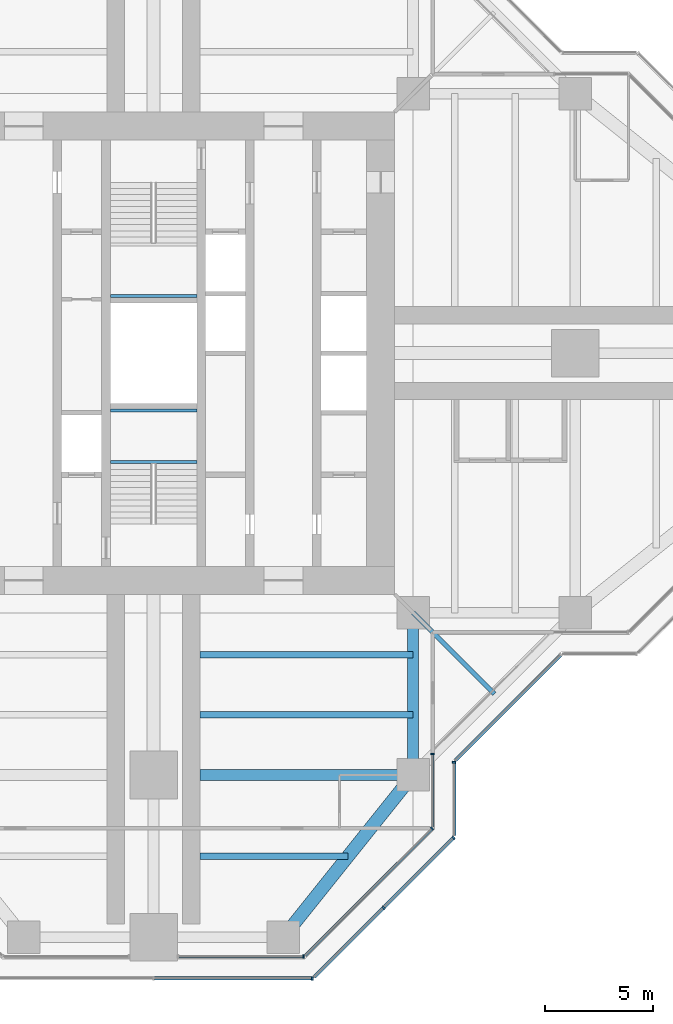
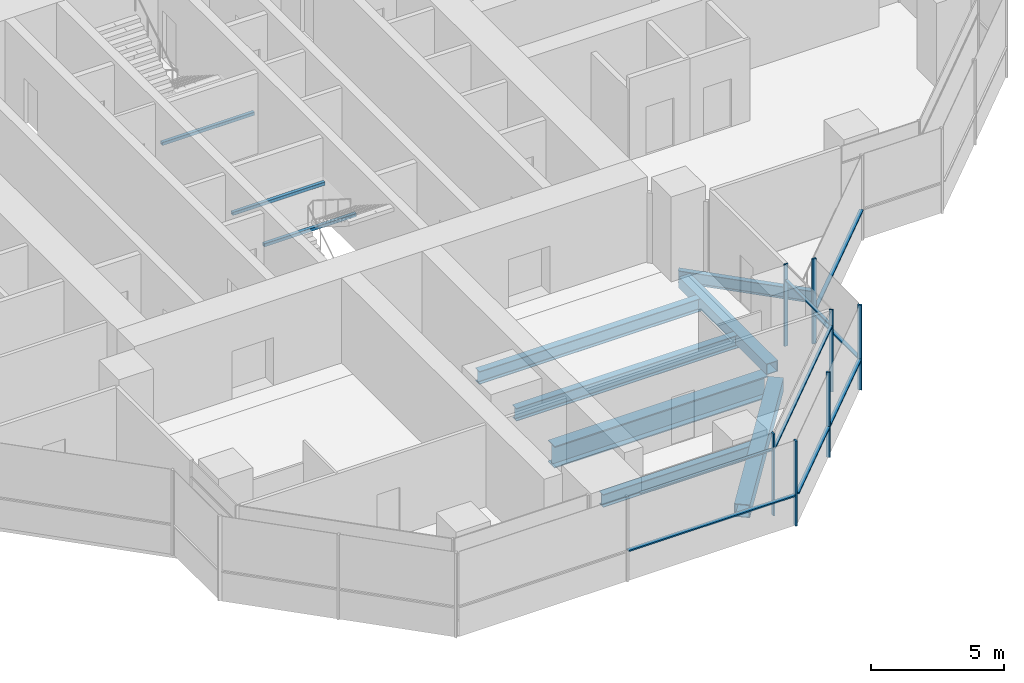
# One storey, part 4 of 17: 15 members, 10 beams, 7 elements without a shape of their own.
"""IFC4 building model written with IfcOpenShell, lengths in metres."""

from ifc_helpers import new_model, si_unit, direction, frame, origin, origin_2d, place, context, subcontext, project, spatial, rectangle, hollow_rectangle, i_section, extrude, material, material_profile, profile_set, type_object, element, aggregate, save


model = new_model("IFC4")

# Units and contexts
model_context = context("Model", 3, precision=1e-05, world=origin(), true_north=direction((0.0, 1.0)))
body_context = subcontext(model_context, "Body", "Model", "MODEL_VIEW")
ifc_project = project(units=[si_unit("LENGTHUNIT", "METRE"), si_unit("AREAUNIT", "SQUARE_METRE"), si_unit("VOLUMEUNIT", "CUBIC_METRE"), si_unit("PLANEANGLEUNIT", "RADIAN"), si_unit("MASSUNIT", "GRAM", prefix="KILO")], contexts=[model_context])

# Site, building, storey
site_placement = place(None, origin())
site = spatial("IfcSite", under=ifc_project, at=site_placement, CompositionType="ELEMENT")
building_placement = place(site_placement, origin())
building = spatial("IfcBuilding", under=site, at=building_placement, Name="Mizan Broadcast Tower", CompositionType="ELEMENT")
storey_placement = place(building_placement, frame((0.0, 0.0, 240.0)))
storey = spatial("IfcBuildingStorey", under=building, at=storey_placement, Name="L56", CompositionType="ELEMENT", Elevation=240.0)

# Beams
ifc_material_1 = material(Name="Steel S355", Category="steel")
ifc_material_profile_1 = material_profile(ifc_material_1, hollow_rectangle(XDim=0.5, YDim=0.5, WallThickness=0.030029296875, at=origin_2d()), Name="BOX 500x500x30")
ifc_profile_set_1 = profile_set([ifc_material_profile_1], Name="Steel S355")
beam_type_1 = type_object("IfcBeamType", Name="EDGE BEAM BOX 500x500x30", PredefinedType="SPANDREL", material=ifc_profile_set_1)
beam_1_placement = place(storey_placement, frame((12.0, -12.449951171875, -0.3798828125), z_axis=(0.0, -1.0, 0.0), x_axis=(1.0, 0.0, 0.0)))
element("IfcBeam", 1, at=beam_1_placement, inside=storey, type_object=beam_type_1, Name="Edge beam BOX 500x500x30 L56 south arm", PredefinedType="SPANDREL", context=body_context, shape_type="SweptSolid", body=[
    extrude(hollow_rectangle(XDim=0.5, YDim=0.5, WallThickness=0.030029296875, at=origin_2d()), origin(), (0.0, 0.0, 1.0), 6.60009765625),
])
ifc_material_2 = material(Name="Steel S355", Category="steel")
ifc_material_profile_2 = material_profile(ifc_material_2, hollow_rectangle(XDim=0.60009765625, YDim=0.60009765625, WallThickness=0.030029296875, at=origin_2d()), Name="BOX 600x600x30")
ifc_profile_set_2 = profile_set([ifc_material_profile_2], Name="Steel S355")
beam_type_2 = type_object("IfcBeamType", Name="EDGE BEAM BOX 600x600x30", PredefinedType="SPANDREL", material=ifc_profile_set_2)
beam_2_placement = place(storey_placement, frame((11.639892578125, -19.949951171875, -0.429931640625), z_axis=(-0.624673911726, -0.780885717636, 0.0), x_axis=(0.780885717636, -0.624673911726, 0.0)))
element("IfcBeam", 2, at=beam_2_placement, inside=storey, type_object=beam_type_2, Name="Edge beam BOX 600x600x30 L56 south arm", PredefinedType="SPANDREL", context=body_context, shape_type="SweptSolid", body=[
    extrude(hollow_rectangle(XDim=0.60009765625, YDim=0.60009765625, WallThickness=0.030029296875, at=origin_2d()), origin(), (0.0, 0.0, 1.0), 8.4521484375),
])
ifc_material_3 = material(Name="Steel S460", Category="steel")
ifc_material_profile_3 = material_profile(ifc_material_3, i_section(OverallWidth=0.5, OverallDepth=1.0, WebThickness=0.02490234375, FlangeThickness=0.050048828125, at=origin_2d()), Name="WPG 1000x500")
ifc_profile_set_3 = profile_set([ifc_material_profile_3], Name="Steel S460")
beam_type_3 = type_object("IfcBeamType", Name="GIRDER WPG 1000x500", PredefinedType="BEAM", material=ifc_profile_set_3)
beam_3_placement = place(storey_placement, frame((11.408935546875, -19.5, -0.6298828125), z_axis=(-1.0, 0.0, 0.0), x_axis=(0.0, -1.0, 0.0)))
element("IfcBeam", 3, at=beam_3_placement, inside=storey, type_object=beam_type_3, Name="Girder WPG 1000x500 L56 south arm", PredefinedType="BEAM", context=body_context, shape_type="SweptSolid", body=[
    extrude(i_section(OverallWidth=0.5, OverallDepth=1.0, WebThickness=0.02490234375, FlangeThickness=0.050048828125, at=origin_2d()), origin(), (0.0, 0.0, 1.0), 9.259033203125),
])

# Curtain wall, member
ifc_material_4 = material(Name="Aluminium framed glazing", Category="aluminium")
curtain_wall_type_1 = type_object("IfcCurtainWallType", Name="INNER SKIN HIGH ZONE", PredefinedType="USERDEFINED", material=ifc_material_4)
curtain_wall_1_placement = place(storey_placement, origin())
curtain_wall_1 = element("IfcCurtainWall", 4, at=curtain_wall_1_placement, inside=storey, type_object=curtain_wall_type_1, Name="Inner skin high zone L56 S end", ObjectType="INNER SKIN HIGH ZONE", PredefinedType="USERDEFINED")
ifc_material_5 = material(Name="Aluminium, pale anodised", Category="aluminium")
ifc_material_profile_4 = material_profile(ifc_material_5, rectangle(XDim=0.159912109375, YDim=0.06005859375, at=origin_2d()), Name="MULLION 160x60")
ifc_profile_set_4 = profile_set([ifc_material_profile_4], Name="Aluminium, pale anodised")
member_type_1 = type_object("IfcMemberType", Name="INNER SKIN MULLION 60x160", PredefinedType="MULLION", material=ifc_profile_set_4)
member_1_placement = place(storey_placement, frame((6.928466796875, -27.89990234375, 0.0), z_axis=(0.0, 0.0, 1.0), x_axis=(0.0, 1.0, 0.0)))
member_1 = element("IfcMember", 5, at=member_1_placement, type_object=member_type_1, Name="Inner skin high zone L56 S end mullion 2", PredefinedType="MULLION", context=body_context, shape_type="SweptSolid", body=[
    extrude(rectangle(XDim=0.159912109375, YDim=0.06005859375, at=origin_2d()), origin(), (0.0, 0.0, 1.0), 3.77001953125),
])

curtain_wall_2_placement = place(storey_placement, origin())
curtain_wall_2 = element("IfcCurtainWall", 6, at=curtain_wall_2_placement, inside=storey, type_object=curtain_wall_type_1, Name="Inner skin high zone L56 S chamfer", ObjectType="INNER SKIN HIGH ZONE", PredefinedType="USERDEFINED")
member_2_placement = place(storey_placement, frame((12.87890625, -21.979736328125, 0.0), z_axis=(0.0, 0.0, 1.0), x_axis=(-0.707106781187, 0.707106781187, 0.0)))
member_2 = element("IfcMember", 7, at=member_2_placement, type_object=member_type_1, Name="Inner skin high zone L56 S chamfer mullion 2", PredefinedType="MULLION", context=body_context, shape_type="SweptSolid", body=[
    extrude(rectangle(XDim=0.159912109375, YDim=0.06005859375, at=origin_2d()), origin(), (0.0, 0.0, 1.0), 3.77001953125),
])

curtain_wall_3_placement = place(storey_placement, origin())
curtain_wall_3 = element("IfcCurtainWall", 8, at=curtain_wall_3_placement, inside=storey, type_object=curtain_wall_type_1, Name="Inner skin high zone L56 S side", ObjectType="INNER SKIN HIGH ZONE", PredefinedType="USERDEFINED")
member_3_placement = place(storey_placement, frame((12.89990234375, -18.530029296875, 0.0), z_axis=(0.0, 0.0, 1.0), x_axis=(-1.0, 0.0, 0.0)))
member_3 = element("IfcMember", 9, at=member_3_placement, type_object=member_type_1, Name="Inner skin high zone L56 S side mullion 2", PredefinedType="MULLION", context=body_context, shape_type="SweptSolid", body=[
    extrude(rectangle(XDim=0.159912109375, YDim=0.06005859375, at=origin_2d()), origin(), (0.0, 0.0, 1.0), 3.77001953125),
])

# Member
ifc_material_6 = material(Name="Aluminium, pale anodised", Category="aluminium")
ifc_material_profile_5 = material_profile(ifc_material_6, rectangle(XDim=0.1201171875, YDim=0.06005859375, at=origin_2d()), Name="TRANSOM 120x60")
ifc_profile_set_5 = profile_set([ifc_material_profile_5], Name="Aluminium, pale anodised")
member_type_2 = type_object("IfcMemberType", Name="INNER SKIN TRANSOM 60x120", PredefinedType="USERDEFINED", material=ifc_profile_set_5)
member_4_placement = place(storey_placement, frame((1.159912109375, -27.89990234375, 3.030029296875), z_axis=(1.0, 0.0, 0.0), x_axis=(0.0, 1.0, 0.0)))
member_4 = element("IfcMember", 10, at=member_4_placement, type_object=member_type_2, Name="Inner skin high zone L56 S end transom 1.1", ObjectType="TRANSOM", PredefinedType="USERDEFINED", context=body_context, shape_type="SweptSolid", body=[
    extrude(rectangle(XDim=0.1201171875, YDim=0.06005859375, at=origin_2d()), origin(), (0.0, 0.0, 1.0), 5.73876953125),
])

aggregate(curtain_wall_1, [member_1, member_4])

member_5_placement = place(storey_placement, frame((7.0009765625, -27.857666015625, 3.030029296875), z_axis=(0.707106781187, 0.707106781187, 0.0), x_axis=(-0.707106781187, 0.707106781187, 0.0)))
member_5 = element("IfcMember", 11, at=member_5_placement, type_object=member_type_2, Name="Inner skin high zone L56 S chamfer transom 1.1", ObjectType="TRANSOM", PredefinedType="USERDEFINED", context=body_context, shape_type="SweptSolid", body=[
    extrude(rectangle(XDim=0.1201171875, YDim=0.06005859375, at=origin_2d()), origin(), (0.0, 0.0, 1.0), 8.28271484375),
])

aggregate(curtain_wall_2, [member_2, member_5])

member_6_placement = place(storey_placement, frame((12.89990234375, -21.898681640625, 3.030029296875), z_axis=(0.0, 1.0, 0.0), x_axis=(-1.0, 0.0, 0.0)))
member_6 = element("IfcMember", 12, at=member_6_placement, type_object=member_type_2, Name="Inner skin high zone L56 S side transom 1.1", ObjectType="TRANSOM", PredefinedType="USERDEFINED", context=body_context, shape_type="SweptSolid", body=[
    extrude(rectangle(XDim=0.1201171875, YDim=0.06005859375, at=origin_2d()), origin(), (0.0, 0.0, 1.0), 3.338623046875),
])

aggregate(curtain_wall_3, [member_3, member_6])

# Beams
ifc_material_7 = material(Name="Steel S355", Category="steel")
ifc_material_profile_6 = material_profile(ifc_material_7, hollow_rectangle(XDim=0.14990234375, YDim=0.14990234375, WallThickness=0.008056640625, InnerFilletRadius=0.008056640625, OuterFilletRadius=0.011962890625, at=origin_2d()), Name="SHS 150x150x8")
ifc_profile_set_6 = profile_set([ifc_material_profile_6], Name="Steel S355")
beam_type_4 = type_object("IfcBeamType", Name="LANDING TRIMMER SHS 150x150x8", PredefinedType="BEAM", material=ifc_profile_set_6)
for number, where, z_axis, x_axis, name in (
    (13, (-2.0, -5.02490234375, 1.675048828125), (1.0, 0.0, 0.0), (0.0, 1.0, 0.0), "Stair A landing trimmer L56"),
    (14, (-2.0, -2.64990234375, 1.675048828125), (1.0, 0.0, 0.0), (0.0, 1.0, 0.0), "Stair A landing trimmer L56"),
    (15, (2.0, 2.64990234375, 1.675048828125), (-1.0, 0.0, 0.0), (0.0, -1.0, 0.0), "Stair B landing trimmer L56"),
):
    element("IfcBeam", number, at=place(storey_placement, frame(where, z_axis=z_axis, x_axis=x_axis)), inside=storey, type_object=beam_type_4, Name=name, PredefinedType="BEAM", context=body_context, shape_type="SweptSolid", body=[
        extrude(hollow_rectangle(XDim=0.14990234375, YDim=0.14990234375, WallThickness=0.008056640625, InnerFilletRadius=0.008056640625, OuterFilletRadius=0.011962890625, at=origin_2d()), origin(), (0.0, 0.0, 1.0), 4.0),
    ])

# Curtain wall, member
ifc_material_8 = material(Name="Aluminium framed glazing", Category="aluminium")
curtain_wall_type_2 = type_object("IfcCurtainWallType", Name="OUTER SKIN", PredefinedType="USERDEFINED", material=ifc_material_8)
curtain_wall_4_placement = place(storey_placement, origin())
curtain_wall_4 = element("IfcCurtainWall", 16, at=curtain_wall_4_placement, inside=storey, type_object=curtain_wall_type_2, Name="Outer skin L56 S end", ObjectType="OUTER SKIN", PredefinedType="USERDEFINED")
ifc_material_9 = material(Name="Aluminium, pale anodised", Category="aluminium")
ifc_material_profile_7 = material_profile(ifc_material_9, rectangle(XDim=0.159912109375, YDim=0.080078125, at=origin_2d()), Name="MULLION 160x80")
ifc_profile_set_7 = profile_set([ifc_material_profile_7], Name="Aluminium, pale anodised")
member_type_3 = type_object("IfcMemberType", Name="OUTER SKIN MULLION 80x160", PredefinedType="MULLION", material=ifc_profile_set_7)
member_7_placement = place(storey_placement, frame((7.332763671875, -28.89990234375, 0.0), z_axis=(0.0, 0.0, 1.0), x_axis=(0.0, 1.0, 0.0)))
member_7 = element("IfcMember", 17, at=member_7_placement, type_object=member_type_3, Name="Outer skin L56 S end mullion 3", PredefinedType="MULLION", context=body_context, shape_type="SweptSolid", body=[
    extrude(rectangle(XDim=0.159912109375, YDim=0.080078125, at=origin_2d()), origin(), (0.0, 0.0, 1.0), 3.89990234375),
])

# Curtain wall, members
curtain_wall_5_placement = place(storey_placement, origin())
curtain_wall_5 = element("IfcCurtainWall", 18, at=curtain_wall_5_placement, inside=storey, type_object=curtain_wall_type_2, Name="Outer skin L56 S chamfer", ObjectType="OUTER SKIN", PredefinedType="USERDEFINED")
member_8_placement = place(storey_placement, frame((10.636474609375, -25.636474609375, 0.0), z_axis=(0.0, 0.0, 1.0), x_axis=(-0.707106781187, 0.707106781187, 0.0)))
member_8 = element("IfcMember", 19, at=member_8_placement, type_object=member_type_3, Name="Outer skin L56 S chamfer mullion 2", PredefinedType="MULLION", context=body_context, shape_type="SweptSolid", body=[
    extrude(rectangle(XDim=0.159912109375, YDim=0.080078125, at=origin_2d()), origin(), (0.0, 0.0, 1.0), 3.89990234375),
])
member_9_placement = place(storey_placement, frame((13.871826171875, -22.401123046875, 0.0), z_axis=(0.0, 0.0, 1.0), x_axis=(-0.707106781187, 0.707106781187, 0.0)))
member_9 = element("IfcMember", 20, at=member_9_placement, type_object=member_type_3, Name="Outer skin L56 S chamfer mullion 3", PredefinedType="MULLION", context=body_context, shape_type="SweptSolid", body=[
    extrude(rectangle(XDim=0.159912109375, YDim=0.080078125, at=origin_2d()), origin(), (0.0, 0.0, 1.0), 3.89990234375),
])

# Curtain wall, member
curtain_wall_6_placement = place(storey_placement, origin())
curtain_wall_6 = element("IfcCurtainWall", 21, at=curtain_wall_6_placement, inside=storey, type_object=curtain_wall_type_2, Name="Outer skin L56 S side", ObjectType="OUTER SKIN", PredefinedType="USERDEFINED")
member_10_placement = place(storey_placement, frame((13.89990234375, -18.912841796875, 0.0), z_axis=(0.0, 0.0, 1.0), x_axis=(-1.0, 0.0, 0.0)))
member_10 = element("IfcMember", 22, at=member_10_placement, type_object=member_type_3, Name="Outer skin L56 S side mullion 2", PredefinedType="MULLION", context=body_context, shape_type="SweptSolid", body=[
    extrude(rectangle(XDim=0.159912109375, YDim=0.080078125, at=origin_2d()), origin(), (0.0, 0.0, 1.0), 3.89990234375),
])

# Member
ifc_material_10 = material(Name="Aluminium, pale anodised", Category="aluminium")
ifc_material_profile_8 = material_profile(ifc_material_10, rectangle(XDim=0.159912109375, YDim=0.06005859375, at=origin_2d()), Name="TRANSOM 160x60")
ifc_profile_set_8 = profile_set([ifc_material_profile_8], Name="Aluminium, pale anodised")
member_type_4 = type_object("IfcMemberType", Name="OUTER SKIN TRANSOM 60x160", PredefinedType="USERDEFINED", material=ifc_profile_set_8)
member_11_placement = place(storey_placement, frame((0.0400390625, -28.89990234375, 1.39990234375), z_axis=(1.0, 0.0, 0.0), x_axis=(0.0, 1.0, 0.0)))
member_11 = element("IfcMember", 23, at=member_11_placement, type_object=member_type_4, Name="Outer skin L56 S end transom 2.1", ObjectType="TRANSOM", PredefinedType="USERDEFINED", context=body_context, shape_type="SweptSolid", body=[
    extrude(rectangle(XDim=0.159912109375, YDim=0.06005859375, at=origin_2d()), origin(), (0.0, 0.0, 1.0), 7.252685546875),
])

aggregate(curtain_wall_4, [member_7, member_11])

member_12_placement = place(storey_placement, frame((7.429443359375, -28.843505859375, 1.39990234375), z_axis=(0.707106781187, 0.707106781187, 0.0), x_axis=(-0.707106781187, 0.707106781187, 0.0)))
member_12 = element("IfcMember", 24, at=member_12_placement, type_object=member_type_4, Name="Outer skin L56 S chamfer transom 1.1", ObjectType="TRANSOM", PredefinedType="USERDEFINED", context=body_context, shape_type="SweptSolid", body=[
    extrude(rectangle(XDim=0.159912109375, YDim=0.06005859375, at=origin_2d()), origin(), (0.0, 0.0, 1.0), 4.495361328125),
])

member_13_placement = place(storey_placement, frame((10.664794921875, -25.608154296875, 1.39990234375), z_axis=(0.707106781187, 0.707106781187, 0.0), x_axis=(-0.707106781187, 0.707106781187, 0.0)))
member_13 = element("IfcMember", 25, at=member_13_placement, type_object=member_type_4, Name="Outer skin L56 S chamfer transom 2.1", ObjectType="TRANSOM", PredefinedType="USERDEFINED", context=body_context, shape_type="SweptSolid", body=[
    extrude(rectangle(XDim=0.159912109375, YDim=0.06005859375, at=origin_2d()), origin(), (0.0, 0.0, 1.0), 4.495361328125),
])

aggregate(curtain_wall_5, [member_8, member_9, member_12, member_13])

member_14_placement = place(storey_placement, frame((13.89990234375, -22.292724609375, 1.39990234375), z_axis=(0.0, 1.0, 0.0), x_axis=(-1.0, 0.0, 0.0)))
member_14 = element("IfcMember", 26, at=member_14_placement, type_object=member_type_4, Name="Outer skin L56 S side transom 1.1", ObjectType="TRANSOM", PredefinedType="USERDEFINED", context=body_context, shape_type="SweptSolid", body=[
    extrude(rectangle(XDim=0.159912109375, YDim=0.06005859375, at=origin_2d()), origin(), (0.0, 0.0, 1.0), 3.33984375),
])

aggregate(curtain_wall_6, [member_10, member_14])

# Curtain wall, member
curtain_wall_7_placement = place(storey_placement, origin())
curtain_wall_7 = element("IfcCurtainWall", 27, at=curtain_wall_7_placement, inside=storey, type_object=curtain_wall_type_2, Name="Outer skin L56 E chamfer", ObjectType="OUTER SKIN", PredefinedType="USERDEFINED")
member_15_placement = place(storey_placement, frame((13.95654296875, -18.816162109375, 1.39990234375), z_axis=(0.707106781187, 0.707106781187, 0.0), x_axis=(-0.707106781187, 0.707106781187, 0.0)))
member_15 = element("IfcMember", 28, at=member_15_placement, type_object=member_type_4, Name="Outer skin L56 E chamfer transom 1.1", ObjectType="TRANSOM", PredefinedType="USERDEFINED", context=body_context, shape_type="SweptSolid", body=[
    extrude(rectangle(XDim=0.159912109375, YDim=0.06005859375, at=origin_2d()), origin(), (0.0, 0.0, 1.0), 6.87255859375),
])
aggregate(curtain_wall_7, [member_15])

# Beams
ifc_material_11 = material(Name="Steel S355", Category="steel")
ifc_material_profile_9 = material_profile(ifc_material_11, i_section(OverallWidth=0.300048828125, OverallDepth=0.590087890625, WebThickness=0.012939453125, FlangeThickness=0.02490234375, FilletRadius=0.027099609375, at=origin_2d()), Name="HEA 600")
ifc_profile_set_9 = profile_set([ifc_material_profile_9], Name="Steel S355")
beam_type_5 = type_object("IfcBeamType", Name="SECONDARY BEAM HEA 600", PredefinedType="JOIST", material=ifc_profile_set_9)
for number, where, z_axis, x_axis, name in (
    (29, (12.0, -13.933349609375, -0.425048828125), (-1.0, 0.0, 0.0), (0.0, -1.0, 0.0), "Secondary beam HEA 600 L56 south arm"),
    (30, (12.0, -16.716552734375, -0.425048828125), (-1.0, 0.0, 0.0), (0.0, -1.0, 0.0), "Secondary beam HEA 600 L56 south arm"),
):
    element("IfcBeam", number, at=place(storey_placement, frame(where, z_axis=z_axis, x_axis=x_axis)), inside=storey, type_object=beam_type_5, Name=name, PredefinedType="JOIST", context=body_context, shape_type="SweptSolid", body=[
        extrude(i_section(OverallWidth=0.300048828125, OverallDepth=0.590087890625, WebThickness=0.012939453125, FlangeThickness=0.02490234375, FilletRadius=0.027099609375, at=origin_2d()), origin(), (0.0, 0.0, 1.0), 9.85009765625),
    ])
beam_4_placement = place(storey_placement, frame((9.0, -23.25, -0.425048828125), z_axis=(-1.0, 0.0, 0.0), x_axis=(0.0, -1.0, 0.0)))
element("IfcBeam", 31, at=beam_4_placement, inside=storey, type_object=beam_type_5, Name="Secondary beam HEA 600 L56 south arm", PredefinedType="JOIST", context=body_context, shape_type="SweptSolid", body=[
    extrude(i_section(OverallWidth=0.300048828125, OverallDepth=0.590087890625, WebThickness=0.012939453125, FlangeThickness=0.02490234375, FilletRadius=0.027099609375, at=origin_2d()), origin(), (0.0, 0.0, 1.0), 6.85009765625),
])
ifc_material_12 = material(Name="Steel S355", Category="steel")
ifc_material_profile_10 = material_profile(ifc_material_12, i_section(OverallWidth=0.2099609375, OverallDepth=0.550048828125, WebThickness=0.010986328125, FlangeThickness=0.01708984375, FilletRadius=0.02392578125, at=origin_2d()), Name="IPE 550")
ifc_profile_set_10 = profile_set([ifc_material_profile_10], Name="Steel S355")
beam_type_6 = type_object("IfcBeamType", Name="SECONDARY BEAM IPE 550", PredefinedType="JOIST", material=ifc_profile_set_10)
beam_5_placement = place(storey_placement, frame((12.0, -12.0, -0.405029296875), z_axis=(0.707106781187, -0.707106781187, 0.0), x_axis=(0.707106781187, 0.707106781187, 0.0)))
element("IfcBeam", 32, at=beam_5_placement, inside=storey, type_object=beam_type_6, Name="Winter garden beam L56 S", PredefinedType="JOIST", context=body_context, shape_type="SweptSolid", body=[
    extrude(i_section(OverallWidth=0.2099609375, OverallDepth=0.550048828125, WebThickness=0.010986328125, FlangeThickness=0.01708984375, FilletRadius=0.02392578125, at=origin_2d()), origin(), (0.0, 0.0, 1.0), 5.30322265625),
])

save(model, "model.ifc")
